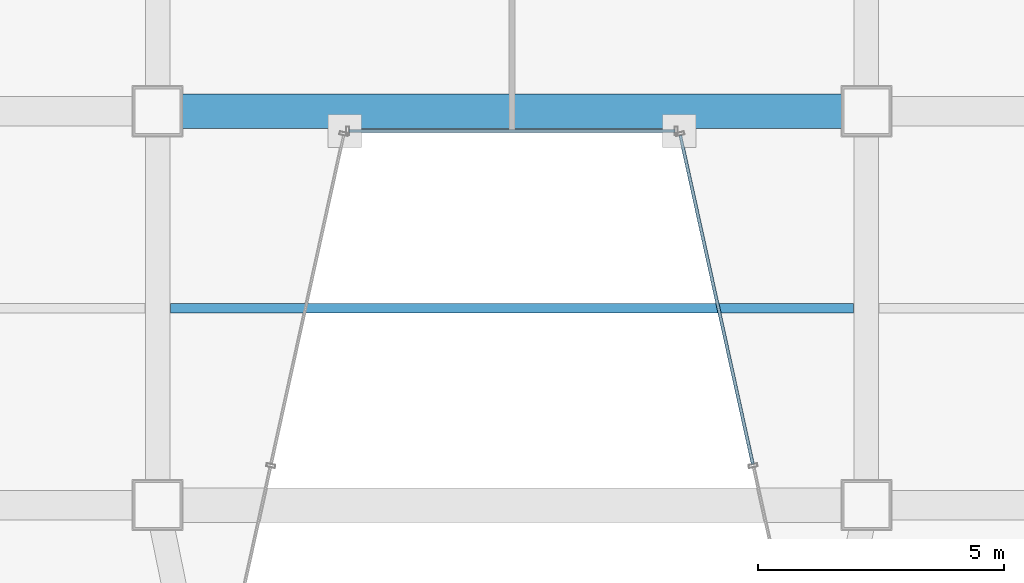
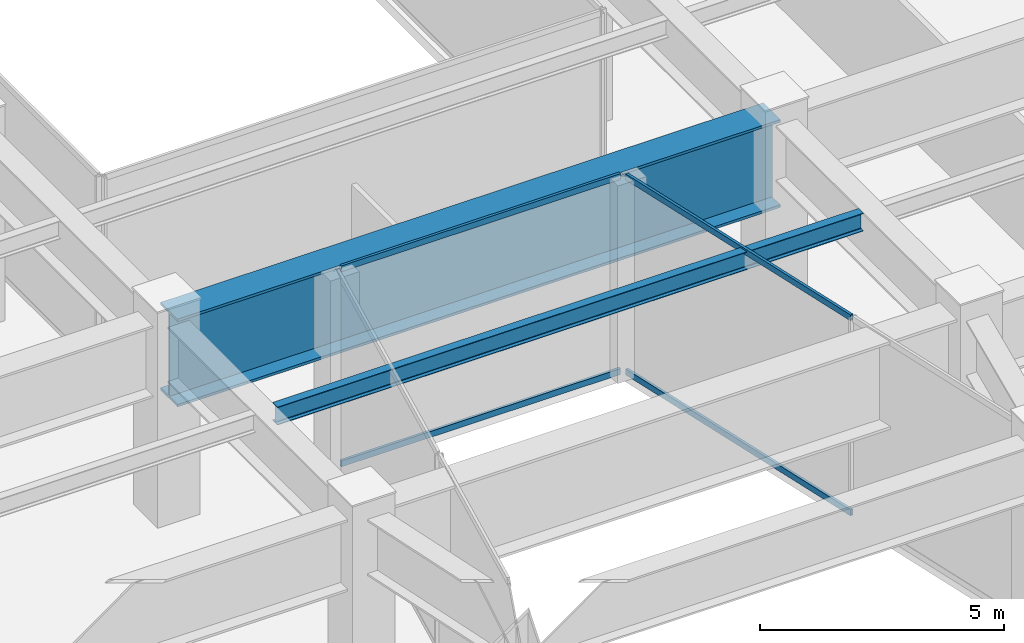
# One storey, part 9 of 42: 4 members, 2 beams, 2 elements without a shape of their own.
"""IFC4 building model written with IfcOpenShell, lengths in metres."""

from ifc_helpers import new_model, si_unit, direction, frame, origin, origin_2d, place, context, subcontext, project, spatial, hollow_rectangle, i_section, extrude, material, material_profile, profile_set, type_object, element, aggregate, save


model = new_model("IFC4")

# Units and contexts
model_context = context("Model", 3, precision=1e-05, world=origin(), true_north=direction((0.0, 1.0)))
body_context = subcontext(model_context, "Body", "Model", "MODEL_VIEW")
ifc_project = project(units=[si_unit("LENGTHUNIT", "METRE"), si_unit("AREAUNIT", "SQUARE_METRE"), si_unit("VOLUMEUNIT", "CUBIC_METRE"), si_unit("PLANEANGLEUNIT", "RADIAN"), si_unit("MASSUNIT", "GRAM", prefix="KILO")], contexts=[model_context])

# Site, building, storey
site_placement = place(None, origin())
site = spatial("IfcSite", under=ifc_project, at=site_placement, CompositionType="ELEMENT")
building_placement = place(site_placement, origin())
building = spatial("IfcBuilding", under=site, at=building_placement, Name="Saevonmaru Cultural Tower", CompositionType="ELEMENT")
storey_placement = place(building_placement, frame((0.0, 0.0, 33.0)))
storey = spatial("IfcBuildingStorey", under=building, at=storey_placement, Name="L06", CompositionType="ELEMENT", Elevation=33.0)

# Beams
ifc_material_1 = material(Name="Steel SM355", Category="steel")
ifc_material_profile_1 = material_profile(ifc_material_1, i_section(OverallWidth=0.199951171875, OverallDepth=0.449951171875, WebThickness=0.009033203125, FlangeThickness=0.013916015625, FilletRadius=0.01806640625, at=origin_2d()), Name="H-450x200x9x14")
ifc_profile_set_1 = profile_set([ifc_material_profile_1], Name="Steel SM355")
beam_type_1 = type_object("IfcBeamType", Name="BM-J-H450", PredefinedType="JOIST", material=ifc_profile_set_1)
beam_1_placement = place(storey_placement, frame((23.05810546875, 12.0, 4.72509765625), z_axis=(1.0, 0.0, 0.0), x_axis=(0.0, 1.0, 0.0)))
element("IfcBeam", 1, at=beam_1_placement, inside=storey, type_object=beam_type_1, Name="L06 Secondary Floor Joist JC-1", PredefinedType="JOIST", context=body_context, shape_type="SweptSolid", body=[
    extrude(i_section(OverallWidth=0.199951171875, OverallDepth=0.449951171875, WebThickness=0.009033203125, FlangeThickness=0.013916015625, FilletRadius=0.01806640625, at=origin_2d()), origin(), (0.0, 0.0, 1.0), 13.8837890625),
])
ifc_material_2 = material(Name="Steel HSA600 (600 MPa)", Category="steel")
ifc_material_profile_2 = material_profile(ifc_material_2, i_section(OverallWidth=0.699951171875, OverallDepth=2.199951171875, WebThickness=0.031982421875, FlangeThickness=0.06494140625, at=origin_2d()), Name="PG-2200x700x32x65")
ifc_profile_set_2 = profile_set([ifc_material_profile_2], Name="Steel HSA600 (600 MPa)")
beam_type_2 = type_object("IfcBeamType", Name="BM-TG-PG2200", PredefinedType="BEAM", material=ifc_profile_set_2)
beam_2_placement = place(storey_placement, frame((22.860107421875, 16.0, 3.85009765625), z_axis=(1.0, 0.0, 0.0), x_axis=(0.0, 1.0, 0.0)))
element("IfcBeam", 2, at=beam_2_placement, inside=storey, type_object=beam_type_2, Name="L06 Long-Span Hall Girder C-2", PredefinedType="BEAM", context=body_context, shape_type="SweptSolid", body=[
    extrude(i_section(OverallWidth=0.699951171875, OverallDepth=2.199951171875, WebThickness=0.031982421875, FlangeThickness=0.06494140625, at=origin_2d()), origin(), (0.0, 0.0, 1.0), 14.27978515625),
])

# Curtain wall, members
ifc_material_3 = material(Name="Satin Bronze Anodised Aluminium", Category="aluminium")
curtain_wall_type = type_object("IfcCurtainWallType", Name="CW-SKY-GLZ", PredefinedType="NOTDEFINED", material=ifc_material_3)
curtain_wall_1_placement = place(storey_placement, origin())
curtain_wall_1 = element("IfcCurtainWall", 3, at=curtain_wall_1_placement, inside=storey, type_object=curtain_wall_type, Name="L06 Unitised Curtain Wall E4", PredefinedType="NOTDEFINED")
ifc_material_profile_3 = material_profile(ifc_material_3, hollow_rectangle(XDim=0.06494140625, YDim=0.14990234375, WallThickness=0.00390625, at=origin_2d()), Name="ALU-TRAN-150x65x4")
ifc_profile_set_3 = profile_set([ifc_material_profile_3], Name="Satin Bronze Anodised Aluminium")
member_type = type_object("IfcMemberType", Name="TR-CW-150x65", PredefinedType="USERDEFINED", material=ifc_profile_set_3)
member_1_placement = place(storey_placement, frame((26.6923828125, 15.60009765625, 0.032470703125), z_axis=(1.0, 0.0, 0.0), x_axis=(0.0, 1.0, 0.0)))
member_1 = element("IfcMember", 4, at=member_1_placement, type_object=member_type, Name="CW-TW-L06-E4 transom 1.1", ObjectType="TRANSOM", PredefinedType="USERDEFINED", context=body_context, shape_type="SweptSolid", body=[
    extrude(hollow_rectangle(XDim=0.06494140625, YDim=0.14990234375, WallThickness=0.00390625, at=origin_2d()), origin(), (0.0, 0.0, 1.0), 6.615234375),
])
member_2_placement = place(storey_placement, frame((26.6923828125, 15.60009765625, 4.91748046875), z_axis=(1.0, 0.0, 0.0), x_axis=(0.0, 1.0, 0.0)))
member_2 = element("IfcMember", 5, at=member_2_placement, type_object=member_type, Name="CW-TW-L06-E4 transom 1.2", ObjectType="TRANSOM", PredefinedType="USERDEFINED", context=body_context, shape_type="SweptSolid", body=[
    extrude(hollow_rectangle(XDim=0.06494140625, YDim=0.14990234375, WallThickness=0.00390625, at=origin_2d()), origin(), (0.0, 0.0, 1.0), 6.615234375),
])
aggregate(curtain_wall_1, [member_1, member_2])

curtain_wall_2_placement = place(storey_placement, origin())
curtain_wall_2 = element("IfcCurtainWall", 6, at=curtain_wall_2_placement, inside=storey, type_object=curtain_wall_type, Name="L06 Unitised Curtain Wall E5", PredefinedType="NOTDEFINED")
member_3_placement = place(storey_placement, frame((33.419921875, 15.509765625, 0.032470703125), z_axis=(0.215418166944, -0.976521895991, 0.0), x_axis=(0.976521895991, 0.215418166944, 0.0)))
member_3 = element("IfcMember", 7, at=member_3_placement, type_object=member_type, Name="CW-TW-L06-E5 transom 1.1", ObjectType="TRANSOM", PredefinedType="USERDEFINED", context=body_context, shape_type="SweptSolid", body=[
    extrude(hollow_rectangle(XDim=0.06494140625, YDim=0.14990234375, WallThickness=0.00390625, at=origin_2d()), origin(), (0.0, 0.0, 1.0), 6.838623046875),
])
member_4_placement = place(storey_placement, frame((33.419921875, 15.509765625, 4.91748046875), z_axis=(0.215418166944, -0.976521895991, 0.0), x_axis=(0.976521895991, 0.215418166944, 0.0)))
member_4 = element("IfcMember", 8, at=member_4_placement, type_object=member_type, Name="CW-TW-L06-E5 transom 1.2", ObjectType="TRANSOM", PredefinedType="USERDEFINED", context=body_context, shape_type="SweptSolid", body=[
    extrude(hollow_rectangle(XDim=0.06494140625, YDim=0.14990234375, WallThickness=0.00390625, at=origin_2d()), origin(), (0.0, 0.0, 1.0), 6.838623046875),
])
aggregate(curtain_wall_2, [member_3, member_4])

save(model, "model.ifc")
